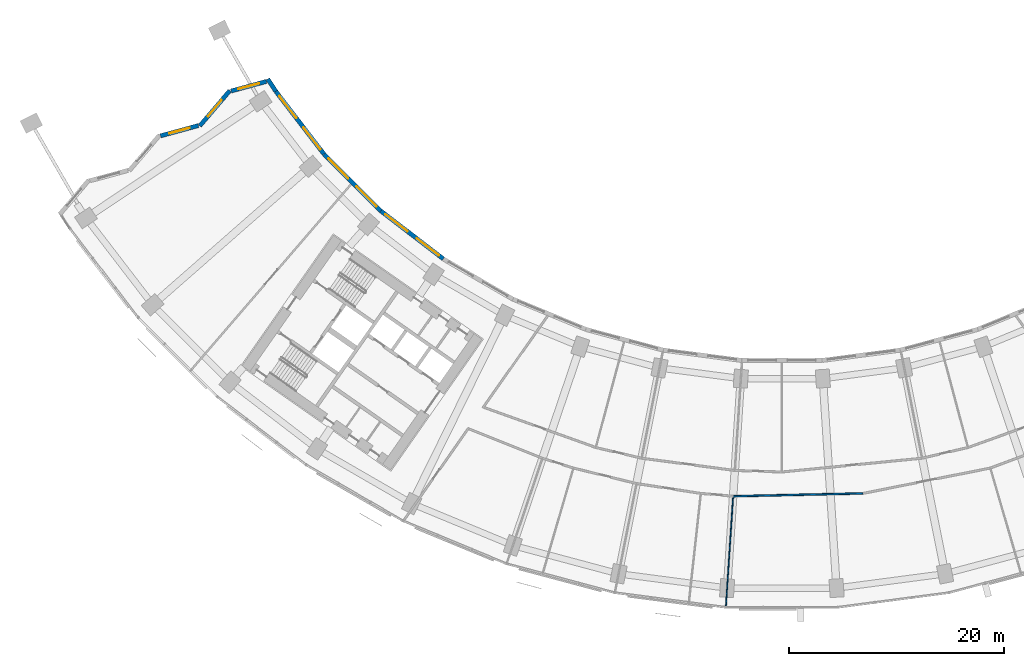
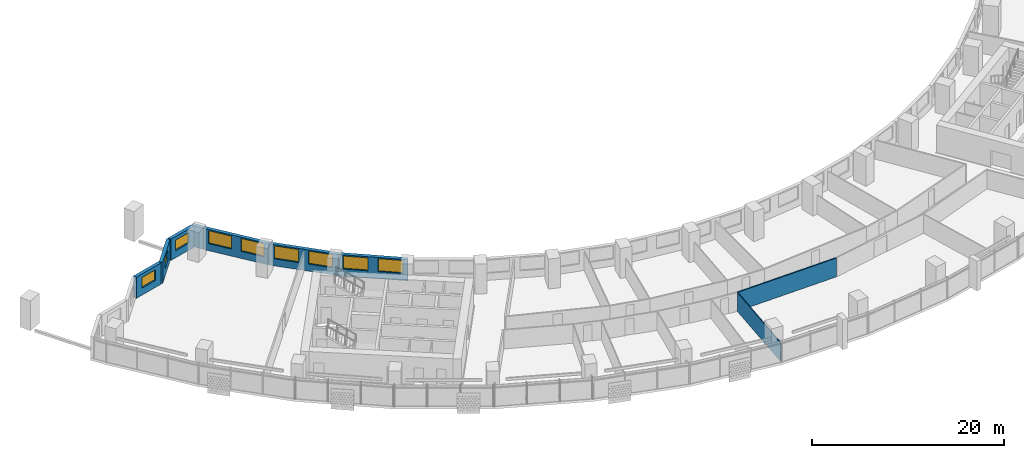
# One storey, part 5 of 29: 9 walls, 9 windows, 9 openings.
"""IFC4 building model written with IfcOpenShell, lengths in metres."""

from ifc_helpers import new_model, si_unit, direction, frame, frame_2d, origin, place, context, subcontext, project, spatial, rectangle, extrude, material, layer, layer_set, type_object, element, fill, save


model = new_model("IFC4")

# Units and contexts
model_context = context("Model", 3, precision=1e-05, world=origin(), true_north=direction((0.0, 1.0)))
body_context = subcontext(model_context, "Body", "Model", "MODEL_VIEW")
ifc_project = project(units=[si_unit("LENGTHUNIT", "METRE"), si_unit("AREAUNIT", "SQUARE_METRE"), si_unit("VOLUMEUNIT", "CUBIC_METRE"), si_unit("PLANEANGLEUNIT", "RADIAN"), si_unit("MASSUNIT", "GRAM", prefix="KILO")], contexts=[model_context])

# Site, building, storey
site_placement = place(None, origin())
site = spatial("IfcSite", under=ifc_project, at=site_placement, CompositionType="ELEMENT")
building_placement = place(site_placement, origin())
building = spatial("IfcBuilding", under=site, at=building_placement, Name="Qamariyya Broadcast Tower", CompositionType="ELEMENT")
storey_placement = place(building_placement, frame((0.0, 0.0, 44.300048828125)))
storey = spatial("IfcBuildingStorey", under=building, at=storey_placement, Name="L07", CompositionType="ELEMENT", Elevation=44.300048828125)

# Walls
ifc_material_1 = material(Name="Gypsum board partition")
ifc_layer_1 = layer(ifc_material_1, 0.14990234375)
ifc_layer_set_1 = layer_set([ifc_layer_1], Name="Corridor partition 150 EI 60")
wall_type_1 = type_object("IfcWallType", Name="Corridor partition 150 EI 60", PredefinedType="PARTITIONING", material=ifc_layer_set_1)
wall_1_placement = place(storey_placement, frame((-4.52587890625, -69.0517578125, 0.0), z_axis=(0.0, 0.0, 1.0), x_axis=(0.999762379986, 0.021798705564, 0.0)))
element("IfcWall", 1, at=wall_1_placement, inside=storey, type_object=wall_type_1, Name="Partition L07-019", PredefinedType="PARTITIONING", context=body_context, shape_type="SweptSolid", body=[
    extrude(rectangle(XDim=12.051025390625, YDim=0.14990234375, at=frame_2d((6.025390625, 0.0))), origin(), (0.0, 0.0, 1.0), 2.39990234375),
])
ifc_layer_2 = layer(ifc_material_1, 0.10009765625)
ifc_layer_set_2 = layer_set([ifc_layer_2], Name="Partition 100")
wall_type_2 = type_object("IfcWallType", Name="Partition 100", PredefinedType="PARTITIONING", material=ifc_layer_set_2)
wall_2_placement = place(storey_placement, frame((-5.1962890625, -79.27978515625, 0.0), z_axis=(0.0, 0.0, 1.0), x_axis=(0.065408959123, 0.99785854111, 0.0)))
element("IfcWall", 2, at=wall_2_placement, inside=storey, type_object=wall_type_2, Name="Partition L07-018", PredefinedType="PARTITIONING", context=body_context, shape_type="SweptSolid", body=[
    extrude(rectangle(XDim=10.1748046875, YDim=0.10009765625, at=frame_2d((5.08740234375, 0.0))), origin(), (0.0, 0.0, 1.0), 2.39990234375),
])

# Wall, opening, window
ifc_material_2 = material(Name="Terracotta", Category="masonry")
ifc_layer_3 = layer(ifc_material_2, 0.39990234375)
ifc_layer_set_3 = layer_set([ifc_layer_3], Name="Terracotta clad wall 400")
wall_type_3 = type_object("IfcWallType", Name="Terracotta clad wall 400", PredefinedType="SOLIDWALL", material=ifc_layer_set_3)
wall_3_placement = place(storey_placement, frame((-47.893310546875, -30.509765625, 0.0), z_axis=(0.0, 0.0, 1.0), x_axis=(-0.964994192301, -0.262271250475, 0.0)))
wall_3 = element("IfcWall", 3, at=wall_3_placement, inside=storey, type_object=wall_type_3, Name="e-wl-L07-capW0", PredefinedType="SOLIDWALL", context=body_context, shape_type="SweptSolid", body=[
    extrude(rectangle(XDim=3.39404296875, YDim=0.39990234375, at=frame_2d((1.697021484375, 0.0))), origin(), (0.0, 0.0, 1.0), 2.699951171875),
])
opening_1_placement = place(wall_3_placement, frame((0.697021484375, 0.0, 0.89990234375)))
opening_1 = element("IfcOpeningElement", 4, at=opening_1_placement, cuts=wall_3, Name="Opening W4", PredefinedType="OPENING", context=body_context, shape_type="SweptSolid", body=[
    extrude(rectangle(XDim=2.0, YDim=1.35009765625, at=frame_2d((1.0, 0.675048828125))), frame((0.0, 0.2099609375, 0.0), z_axis=(0.0, -1.0, 0.0), x_axis=(1.0, 0.0, 0.0)), (0.0, 0.0, 1.0), 0.419921875),
])
ifc_material_3 = material(Name="Clear low-e double glazed unit in aluminium frame", Category="aluminium")
window_type_1 = type_object("IfcWindowType", Name="Horn bay window 2000 x 1350", PartitioningType="SINGLE_PANEL", PredefinedType="WINDOW", material=ifc_material_3)
window_1_placement = place(opening_1_placement, origin())
window_1 = element("IfcWindow", 5, at=window_1_placement, inside=storey, type_object=window_type_1, Name="e-w-L07-capW0", OverallHeight=1.35009765625, OverallWidth=2.0, PartitioningType="SINGLE_PANEL", PredefinedType="WINDOW", context=body_context, shape_type="SweptSolid", body=[
    extrude(rectangle(XDim=2.0, YDim=1.35009765625, at=frame_2d((1.0, 0.675048828125))), frame((0.0, 0.030029296875, 0.0), z_axis=(0.0, -1.0, 0.0), x_axis=(1.0, 0.0, 0.0)), (0.0, 0.0, 1.0), 0.06005859375),
])
fill(opening_1, window_1)

wall_4_placement = place(storey_placement, frame((-51.293212890625, -31.369384765625, 0.0), z_axis=(0.0, 0.0, 1.0), x_axis=(-0.648846938805, -0.760918951008, 0.0)))
wall_4 = element("IfcWall", 6, at=wall_4_placement, inside=storey, type_object=wall_type_3, Name="e-wl-L07-capW1", PredefinedType="SOLIDWALL", context=body_context, shape_type="SweptSolid", body=[
    extrude(rectangle(XDim=4.2958984375, YDim=0.39990234375, at=frame_2d((2.14794921875, 0.0))), origin(), (0.0, 0.0, 1.0), 2.699951171875),
])
opening_2_placement = place(wall_4_placement, frame((1.14794921875, 0.0, 0.89990234375)))
opening_2 = element("IfcOpeningElement", 7, at=opening_2_placement, cuts=wall_4, Name="Opening W4", PredefinedType="OPENING", context=body_context, shape_type="SweptSolid", body=[
    extrude(rectangle(XDim=2.0, YDim=1.35009765625, at=frame_2d((1.0, 0.675048828125))), frame((0.0, 0.2099609375, 0.0), z_axis=(0.0, -1.0, 0.0), x_axis=(1.0, 0.0, 0.0)), (0.0, 0.0, 1.0), 0.419921875),
])
window_2_placement = place(opening_2_placement, origin())
window_2 = element("IfcWindow", 8, at=window_2_placement, inside=storey, type_object=window_type_1, Name="e-w-L07-capW1", OverallHeight=1.35009765625, OverallWidth=2.0, PartitioningType="SINGLE_PANEL", PredefinedType="WINDOW", context=body_context, shape_type="SweptSolid", body=[
    extrude(rectangle(XDim=2.0, YDim=1.35009765625, at=frame_2d((1.0, 0.675048828125))), frame((0.0, 0.030029296875, 0.0), z_axis=(0.0, -1.0, 0.0), x_axis=(1.0, 0.0, 0.0)), (0.0, 0.0, 1.0), 0.06005859375),
])
fill(opening_2, window_2)

wall_5_placement = place(storey_placement, frame((-54.20556640625, -34.60791015625, 0.0), z_axis=(0.0, 0.0, 1.0), x_axis=(-0.964982822541, -0.262313080498, 0.0)))
wall_5 = element("IfcWall", 9, at=wall_5_placement, inside=storey, type_object=wall_type_3, Name="e-wl-L07-capW2", PredefinedType="SOLIDWALL", context=body_context, shape_type="SweptSolid", body=[
    extrude(rectangle(XDim=3.6474609375, YDim=0.39990234375, at=frame_2d((1.82373046875, 0.0))), origin(), (0.0, 0.0, 1.0), 2.699951171875),
])
opening_3_placement = place(wall_5_placement, frame((0.82373046875, 0.0, 0.89990234375)))
opening_3 = element("IfcOpeningElement", 10, at=opening_3_placement, cuts=wall_5, Name="Opening W4", PredefinedType="OPENING", context=body_context, shape_type="SweptSolid", body=[
    extrude(rectangle(XDim=2.0, YDim=1.35009765625, at=frame_2d((1.0, 0.675048828125))), frame((0.0, 0.2099609375, 0.0), z_axis=(0.0, -1.0, 0.0), x_axis=(1.0, 0.0, 0.0)), (0.0, 0.0, 1.0), 0.419921875),
])
window_3_placement = place(opening_3_placement, origin())
window_3 = element("IfcWindow", 11, at=window_3_placement, inside=storey, type_object=window_type_1, Name="e-w-L07-capW2", OverallHeight=1.35009765625, OverallWidth=2.0, PartitioningType="SINGLE_PANEL", PredefinedType="WINDOW", context=body_context, shape_type="SweptSolid", body=[
    extrude(rectangle(XDim=2.0, YDim=1.35009765625, at=frame_2d((1.0, 0.675048828125))), frame((0.0, 0.030029296875, 0.0), z_axis=(0.0, -1.0, 0.0), x_axis=(1.0, 0.0, 0.0)), (0.0, 0.0, 1.0), 0.06005859375),
])
fill(opening_3, window_3)

# Wall
wall_6_placement = place(storey_placement, frame((-47.008544921875, -31.4345703125, 0.0), z_axis=(0.0, 0.0, 1.0), x_axis=(-0.545920235879, 0.837837153663, 0.0)))
element("IfcWall", 12, at=wall_6_placement, inside=storey, type_object=wall_type_3, Name="e-wl-L07-in00", PredefinedType="SOLIDWALL", context=body_context, shape_type="SweptSolid", body=[
    extrude(rectangle(XDim=1.37158203125, YDim=0.39990234375, at=frame_2d((0.685791015625, 0.0))), origin(), (0.0, 0.0, 1.0), 2.699951171875),
])

# Wall, openings, windows
wall_7_placement = place(storey_placement, frame((-42.5478515625, -37.24609375, 0.0), z_axis=(0.0, 0.0, 1.0), x_axis=(-0.608753289302, 0.793359586041, 0.0)))
wall_7 = element("IfcWall", 13, at=wall_7_placement, inside=storey, type_object=wall_type_3, Name="e-wl-L07-in10", PredefinedType="SOLIDWALL", context=body_context, shape_type="SweptSolid", body=[
    extrude(rectangle(XDim=7.310791015625, YDim=0.39990234375, at=frame_2d((3.6552734375, 0.0))), origin(), (0.0, 0.0, 1.0), 2.699951171875),
])
opening_4_placement = place(wall_7_placement, frame((4.190673828125, 0.0, 0.89990234375)))
opening_4 = element("IfcOpeningElement", 14, at=opening_4_placement, cuts=wall_7, Name="Opening W1", PredefinedType="OPENING", context=body_context, shape_type="SweptSolid", body=[
    extrude(rectangle(XDim=2.60009765625, YDim=1.64990234375, at=frame_2d((1.300048828125, 0.824951171875))), frame((0.0, 0.2099609375, 0.0), z_axis=(0.0, -1.0, 0.0), x_axis=(1.0, 0.0, 0.0)), (0.0, 0.0, 1.0), 0.419921875),
])
opening_5_placement = place(wall_7_placement, frame((0.505126953125, 0.0, 0.89990234375)))
opening_5 = element("IfcOpeningElement", 15, at=opening_5_placement, cuts=wall_7, Name="Opening W1", PredefinedType="OPENING", context=body_context, shape_type="SweptSolid", body=[
    extrude(rectangle(XDim=2.60009765625, YDim=1.64990234375, at=frame_2d((1.300048828125, 0.824951171875))), frame((0.0, 0.2099609375, 0.0), z_axis=(0.0, -1.0, 0.0), x_axis=(1.0, 0.0, 0.0)), (0.0, 0.0, 1.0), 0.419921875),
])
window_type_2 = type_object("IfcWindowType", Name="Ribbon window 2600 x 1650", PartitioningType="SINGLE_PANEL", PredefinedType="WINDOW", material=ifc_material_3)
window_4_placement = place(opening_4_placement, origin())
window_4 = element("IfcWindow", 16, at=window_4_placement, inside=storey, type_object=window_type_2, Name="e-w-L07-in01-0", OverallHeight=1.64990234375, OverallWidth=2.60009765625, PartitioningType="SINGLE_PANEL", PredefinedType="WINDOW", context=body_context, shape_type="SweptSolid", body=[
    extrude(rectangle(XDim=2.60009765625, YDim=1.64990234375, at=frame_2d((1.300048828125, 0.824951171875))), frame((0.0, 0.030029296875, 0.0), z_axis=(0.0, -1.0, 0.0), x_axis=(1.0, 0.0, 0.0)), (0.0, 0.0, 1.0), 0.06005859375),
])
fill(opening_4, window_4)
window_5_placement = place(opening_5_placement, origin())
window_5 = element("IfcWindow", 17, at=window_5_placement, inside=storey, type_object=window_type_2, Name="e-w-L07-in01-1", OverallHeight=1.64990234375, OverallWidth=2.60009765625, PartitioningType="SINGLE_PANEL", PredefinedType="WINDOW", context=body_context, shape_type="SweptSolid", body=[
    extrude(rectangle(XDim=2.60009765625, YDim=1.64990234375, at=frame_2d((1.300048828125, 0.824951171875))), frame((0.0, 0.030029296875, 0.0), z_axis=(0.0, -1.0, 0.0), x_axis=(1.0, 0.0, 0.0)), (0.0, 0.0, 1.0), 0.06005859375),
])
fill(opening_5, window_5)

wall_8_placement = place(storey_placement, frame((-37.2685546875, -42.534423828125, 0.0), z_axis=(0.0, 0.0, 1.0), x_axis=(-0.707106781187, 0.707106781187, 0.0)))
wall_8 = element("IfcWall", 18, at=wall_8_placement, inside=storey, type_object=wall_type_3, Name="e-wl-L07-in20", PredefinedType="SOLIDWALL", context=body_context, shape_type="SweptSolid", body=[
    extrude(rectangle(XDim=7.447021484375, YDim=0.39990234375, at=frame_2d((3.7236328125, 0.0))), origin(), (0.0, 0.0, 1.0), 2.699951171875),
])
opening_6_placement = place(wall_8_placement, frame((4.266357421875, 0.0, 0.89990234375)))
opening_6 = element("IfcOpeningElement", 19, at=opening_6_placement, cuts=wall_8, Name="Opening W1", PredefinedType="OPENING", context=body_context, shape_type="SweptSolid", body=[
    extrude(rectangle(XDim=2.60009765625, YDim=1.64990234375, at=frame_2d((1.300048828125, 0.824951171875))), frame((0.0, 0.2099609375, 0.0), z_axis=(0.0, -1.0, 0.0), x_axis=(1.0, 0.0, 0.0)), (0.0, 0.0, 1.0), 0.419921875),
])
opening_7_placement = place(wall_8_placement, frame((0.580810546875, 0.0, 0.89990234375)))
opening_7 = element("IfcOpeningElement", 20, at=opening_7_placement, cuts=wall_8, Name="Opening W1", PredefinedType="OPENING", context=body_context, shape_type="SweptSolid", body=[
    extrude(rectangle(XDim=2.60009765625, YDim=1.64990234375, at=frame_2d((1.300048828125, 0.824951171875))), frame((0.0, 0.2099609375, 0.0), z_axis=(0.0, -1.0, 0.0), x_axis=(1.0, 0.0, 0.0)), (0.0, 0.0, 1.0), 0.419921875),
])
window_6_placement = place(opening_6_placement, origin())
window_6 = element("IfcWindow", 21, at=window_6_placement, inside=storey, type_object=window_type_2, Name="e-w-L07-in02-0", OverallHeight=1.64990234375, OverallWidth=2.60009765625, PartitioningType="SINGLE_PANEL", PredefinedType="WINDOW", context=body_context, shape_type="SweptSolid", body=[
    extrude(rectangle(XDim=2.60009765625, YDim=1.64990234375, at=frame_2d((1.300048828125, 0.824951171875))), frame((0.0, 0.030029296875, 0.0), z_axis=(0.0, -1.0, 0.0), x_axis=(1.0, 0.0, 0.0)), (0.0, 0.0, 1.0), 0.06005859375),
])
fill(opening_6, window_6)
window_7_placement = place(opening_7_placement, origin())
window_7 = element("IfcWindow", 22, at=window_7_placement, inside=storey, type_object=window_type_2, Name="e-w-L07-in02-1", OverallHeight=1.64990234375, OverallWidth=2.60009765625, PartitioningType="SINGLE_PANEL", PredefinedType="WINDOW", context=body_context, shape_type="SweptSolid", body=[
    extrude(rectangle(XDim=2.60009765625, YDim=1.64990234375, at=frame_2d((1.300048828125, 0.824951171875))), frame((0.0, 0.030029296875, 0.0), z_axis=(0.0, -1.0, 0.0), x_axis=(1.0, 0.0, 0.0)), (0.0, 0.0, 1.0), 0.06005859375),
])
fill(opening_7, window_7)

wall_9_placement = place(storey_placement, frame((-31.4580078125, -46.989013671875, 0.0), z_axis=(0.0, 0.0, 1.0), x_axis=(-0.79336607943, 0.60874482668, 0.0)))
wall_9 = element("IfcWall", 23, at=wall_9_placement, inside=storey, type_object=wall_type_3, Name="e-wl-L07-in30", PredefinedType="SOLIDWALL", context=body_context, shape_type="SweptSolid", body=[
    extrude(rectangle(XDim=7.295654296875, YDim=0.39990234375, at=frame_2d((3.64794921875, 0.0))), origin(), (0.0, 0.0, 1.0), 2.699951171875),
])
opening_8_placement = place(wall_9_placement, frame((4.190673828125, 0.0, 0.89990234375)))
opening_8 = element("IfcOpeningElement", 24, at=opening_8_placement, cuts=wall_9, Name="Opening W1", PredefinedType="OPENING", context=body_context, shape_type="SweptSolid", body=[
    extrude(rectangle(XDim=2.60009765625, YDim=1.64990234375, at=frame_2d((1.300048828125, 0.824951171875))), frame((0.0, 0.2099609375, 0.0), z_axis=(0.0, -1.0, 0.0), x_axis=(1.0, 0.0, 0.0)), (0.0, 0.0, 1.0), 0.419921875),
])
opening_9_placement = place(wall_9_placement, frame((0.505126953125, 0.0, 0.89990234375)))
opening_9 = element("IfcOpeningElement", 25, at=opening_9_placement, cuts=wall_9, Name="Opening W1", PredefinedType="OPENING", context=body_context, shape_type="SweptSolid", body=[
    extrude(rectangle(XDim=2.60009765625, YDim=1.64990234375, at=frame_2d((1.300048828125, 0.824951171875))), frame((0.0, 0.2099609375, 0.0), z_axis=(0.0, -1.0, 0.0), x_axis=(1.0, 0.0, 0.0)), (0.0, 0.0, 1.0), 0.419921875),
])
window_8_placement = place(opening_8_placement, origin())
window_8 = element("IfcWindow", 26, at=window_8_placement, inside=storey, type_object=window_type_2, Name="e-w-L07-in03-0", OverallHeight=1.64990234375, OverallWidth=2.60009765625, PartitioningType="SINGLE_PANEL", PredefinedType="WINDOW", context=body_context, shape_type="SweptSolid", body=[
    extrude(rectangle(XDim=2.60009765625, YDim=1.64990234375, at=frame_2d((1.300048828125, 0.824951171875))), frame((0.0, 0.030029296875, 0.0), z_axis=(0.0, -1.0, 0.0), x_axis=(1.0, 0.0, 0.0)), (0.0, 0.0, 1.0), 0.06005859375),
])
fill(opening_8, window_8)
window_9_placement = place(opening_9_placement, origin())
window_9 = element("IfcWindow", 27, at=window_9_placement, inside=storey, type_object=window_type_2, Name="e-w-L07-in03-1", OverallHeight=1.64990234375, OverallWidth=2.60009765625, PartitioningType="SINGLE_PANEL", PredefinedType="WINDOW", context=body_context, shape_type="SweptSolid", body=[
    extrude(rectangle(XDim=2.60009765625, YDim=1.64990234375, at=frame_2d((1.300048828125, 0.824951171875))), frame((0.0, 0.030029296875, 0.0), z_axis=(0.0, -1.0, 0.0), x_axis=(1.0, 0.0, 0.0)), (0.0, 0.0, 1.0), 0.06005859375),
])
fill(opening_9, window_9)

save(model, "model.ifc")
